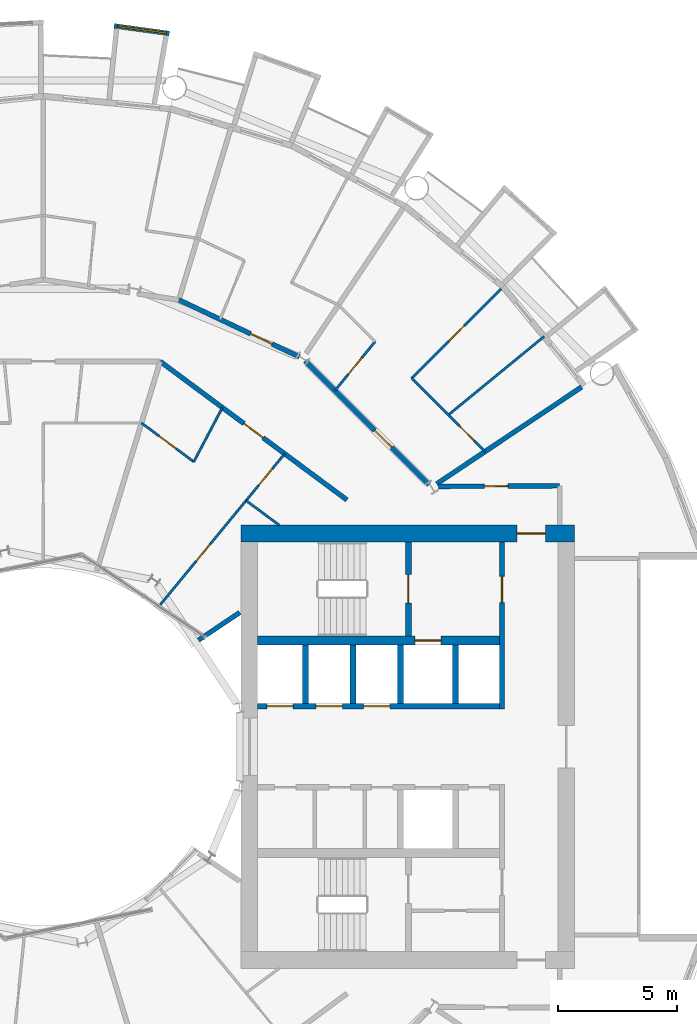
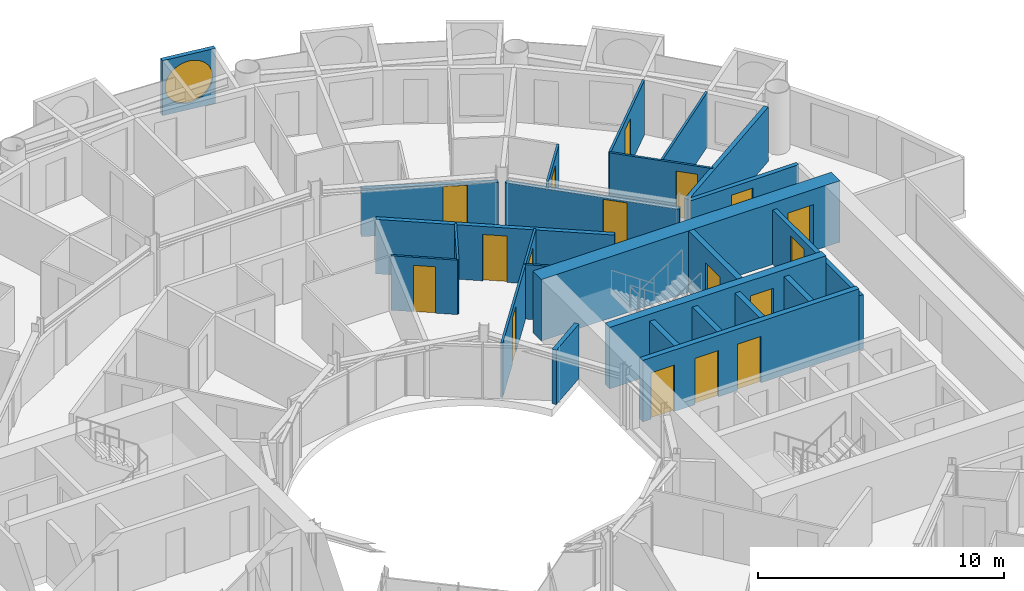
# One storey, part 21 of 26: 24 walls, 17 doors, 1 window, 18 openings.
"""IFC4 building model written with IfcOpenShell, lengths in metres."""

import ifcopenshell
import ifcopenshell.guid

model = None  # the IFC model being written
_history = None  # IfcOwnerHistory: only IFC2X3 demands one
_inside = {}  # id of a spatial element -> (the spatial element, [elements in it])
_under = {}  # id of a project, library or spatial element -> (it, [spatial elements below it])
_declared = {}  # id of a project -> (the project, [libraries it declares])
_typed = {}  # id of a type object -> (the type object, [elements of that type])
_made_of = {}  # id of a material, layer set ... -> (it, [elements and type objects made of it])


def new_model(schema):
    """Start an empty IFC model of exactly this schema.

    Asked for "IFC4X3", IfcOpenShell would pick the latest addendum, in which some entities
    have other attributes; the version numbers below select the first issue.
    IFC2X3 requires an IfcOwnerHistory on every rooted entity: one is made here for all.
    """
    global model, _history
    if schema == "IFC4X3":
        model = ifcopenshell.file(schema_version=(4, 3, 0, 0))
    else:
        model = ifcopenshell.file(schema=schema)
    _inside.clear()
    _under.clear()
    _declared.clear()
    _typed.clear()
    _made_of.clear()
    _history = None
    if model.schema == "IFC2X3":
        org = make("IfcOrganization", Name="unknown")
        user = make(
            "IfcPersonAndOrganization",
            ThePerson=make("IfcPerson", FamilyName="unknown"),
            TheOrganization=org,
        )
        app = make(
            "IfcApplication",
            ApplicationDeveloper=org,
            Version="unknown",
            ApplicationFullName="unknown",
            ApplicationIdentifier="unknown",
        )
        _history = make(
            "IfcOwnerHistory",
            OwningUser=user,
            OwningApplication=app,
            ChangeAction="ADDED",
            CreationDate=0,
        )
    return model


def make(cls, **values):
    """One entity of the class cls with the attributes given. An attribute that is None is left unset."""
    return model.create_entity(
        cls, **{name: value for name, value in values.items() if value is not None}
    )


def rooted(cls, **values):
    """An entity with a GlobalId (a new one), such as an element, a storey or a relation."""
    return make(cls, GlobalId=ifcopenshell.guid.new(), OwnerHistory=_history, **values)


def si_unit(unit_type, name, prefix=None):
    """IfcSIUnit, for example si_unit("LENGTHUNIT", "METRE", prefix="MILLI")."""
    return make("IfcSIUnit", UnitType=unit_type, Prefix=prefix, Name=name)


def assignment(units):
    """IfcUnitAssignment: the units of a project."""
    return None if units is None else make("IfcUnitAssignment", Units=units)


def point(xyz):
    """IfcCartesianPoint."""
    return None if xyz is None else make("IfcCartesianPoint", Coordinates=xyz)


def direction(xyz):
    """IfcDirection."""
    return None if xyz is None else make("IfcDirection", DirectionRatios=xyz)


def frame(location, z_axis=None, x_axis=None):
    """IfcAxis2Placement3D, a coordinate frame: its origin and axes. An axis left out is left unset."""
    return make(
        "IfcAxis2Placement3D",
        Location=point(location),
        Axis=direction(z_axis),
        RefDirection=direction(x_axis),
    )


def frame_2d(location, x_axis=None):
    """IfcAxis2Placement2D, a coordinate frame in the plane: its origin and x axis."""
    return make(
        "IfcAxis2Placement2D", Location=point(location), RefDirection=direction(x_axis)
    )


def origin():
    """The frame at (0, 0, 0) with its axes left unset."""
    return frame((0.0, 0.0, 0.0))


def place(relative_to, where):
    """IfcLocalPlacement: puts the frame where relative to a parent placement (None: the world)."""
    return make(
        "IfcLocalPlacement", PlacementRelTo=relative_to, RelativePlacement=where
    )


def context(
    kind, dimensions, precision=None, world=None, true_north=None, identifier=None
):
    """IfcGeometricRepresentationContext, for example the 3D "Model" context."""
    return make(
        "IfcGeometricRepresentationContext",
        ContextIdentifier=identifier,
        ContextType=kind,
        CoordinateSpaceDimension=dimensions,
        Precision=precision,
        WorldCoordinateSystem=world,
        TrueNorth=true_north,
    )


def subcontext(parent, identifier, kind, view, scale=None):
    """IfcGeometricRepresentationSubContext, for example "Body" below "Model"."""
    return make(
        "IfcGeometricRepresentationSubContext",
        ContextIdentifier=identifier,
        ContextType=kind,
        ParentContext=parent,
        TargetScale=scale,
        TargetView=view,
    )


def project(units=None, contexts=None):
    """IfcProject with its units and contexts."""
    return rooted(
        "IfcProject",
        Name="project",
        RepresentationContexts=contexts,
        UnitsInContext=assignment(units),
    )


def spatial(cls, under=None, at=None, **own):
    """A site, building, storey or space (cls), placed at a placement, below another one or the project."""
    s = rooted(cls, ObjectPlacement=at, **own)
    if under is not None:
        _under.setdefault(under.id(), (under, []))[1].append(s)
    return s


def profile(cls, at=None, kind="AREA", **sizes):
    """A parametric profile (cls). Its sizes go by their IFC names, for example OverallWidth=200.0."""
    return make(cls, ProfileType=kind, Position=at, **sizes)


def rectangle(**sizes):
    """IfcRectangleProfileDef."""
    return profile("IfcRectangleProfileDef", **sizes)


def circle(**sizes):
    """IfcCircleProfileDef."""
    return profile("IfcCircleProfileDef", **sizes)


def extrude(swept, where, along, depth):
    """IfcExtrudedAreaSolid: the profile swept, set in the frame where, extruded along a direction by depth."""
    return make(
        "IfcExtrudedAreaSolid",
        SweptArea=swept,
        Position=where,
        ExtrudedDirection=direction(along),
        Depth=depth,
    )


def shape(context_of_items, identifier, shape_type, items):
    """IfcShapeRepresentation: the items that make up one representation, for example the "Body"."""
    return make(
        "IfcShapeRepresentation",
        ContextOfItems=context_of_items,
        RepresentationIdentifier=identifier,
        RepresentationType=shape_type,
        Items=items,
    )


def material(Name=None, Category=None):
    """IfcMaterial."""
    return make("IfcMaterial", Name=Name, Category=Category)


def layer(
    of_material, thickness, ventilated=None, Name=None, Category=None, Priority=None
):
    """IfcMaterialLayer: one layer of a wall or slab, of a material (None: an air gap)."""
    return make(
        "IfcMaterialLayer",
        Material=of_material,
        LayerThickness=thickness,
        IsVentilated=ventilated,
        Name=Name,
        Category=Category,
        Priority=Priority,
    )


def layer_set(layers, Name=None):
    """IfcMaterialLayerSet."""
    return make("IfcMaterialLayerSet", MaterialLayers=layers, LayerSetName=Name)


def made_of(thing, what):
    """Note that an element or type object is made of a material, layer set ...; save() writes the relation."""
    if what is not None:
        _made_of.setdefault(what.id(), (what, []))[1].append(thing)
    return thing


def type_object(cls, material=None, **own):
    """A type object (cls), such as IfcWallType, which elements share."""
    return made_of(rooted(cls, **own), material)


def element(
    cls,
    number,
    at=None,
    inside=None,
    cuts=None,
    type_object=None,
    material=None,
    context=None,
    identifier="Body",
    shape_type=None,
    held_by="IfcProductDefinitionShape",
    body=None,
    shapes=None,
    **own,
):
    """One element of the class cls, such as IfcWall. Its Tag is "e" and its number.

    at: its placement. inside: the storey or other place that contains it. cuts: it is an
    opening in that element (IfcRelVoidsElement). A single representation is given by context,
    identifier, shape_type and body (its items); several are given by shapes. held_by: the class
    of the entity that holds the representations. save() writes the other relations.
    """
    e = rooted(cls, Tag="e%d" % number, ObjectPlacement=at, **own)
    if body is not None:
        shapes = [shape(context, identifier, shape_type, body)]
    if shapes is not None:
        e.Representation = make(held_by, Representations=shapes)
    if inside is not None:
        _inside.setdefault(inside.id(), (inside, []))[1].append(e)
    if cuts is not None:
        rooted(
            "IfcRelVoidsElement", RelatingBuildingElement=cuts, RelatedOpeningElement=e
        )
    if type_object is not None:
        _typed.setdefault(type_object.id(), (type_object, []))[1].append(e)
    return made_of(e, material)


def fill(opening, filler):
    """IfcRelFillsElement: the door or window that sits in an opening."""
    return rooted(
        "IfcRelFillsElement",
        RelatingOpeningElement=opening,
        RelatedBuildingElement=filler,
    )


def aggregate(whole, parts):
    """IfcRelAggregates: a whole, such as a stair, and the parts it consists of."""
    return rooted("IfcRelAggregates", RelatingObject=whole, RelatedObjects=parts)


def save(model, path):
    """Write the relations noted so far, then the file.

    IfcRelAggregates (storeys below a building ...), IfcRelContainedInSpatialStructure (elements
    in a storey), IfcRelDefinesByType, IfcRelAssociatesMaterial and IfcRelDeclares: one each for
    every whole, place, type object, material and project.
    """
    for whole, parts in _under.values():
        aggregate(whole, parts)
    for where, things in _inside.values():
        rooted(
            "IfcRelContainedInSpatialStructure",
            RelatedElements=things,
            RelatingStructure=where,
        )
    for kind, things in _typed.values():
        rooted("IfcRelDefinesByType", RelatedObjects=things, RelatingType=kind)
    for what, things in _made_of.values():
        rooted("IfcRelAssociatesMaterial", RelatedObjects=things, RelatingMaterial=what)
    for by, libraries in _declared.values():
        rooted("IfcRelDeclares", RelatingContext=by, RelatedDefinitions=libraries)
    model.write(path)


model = new_model("IFC4")

# Units and contexts
model_context = context("Model", 3, precision=1e-05, world=origin(), true_north=direction((0.0, 1.0)))
body_context = subcontext(model_context, "Body", "Model", "MODEL_VIEW")
ifc_project = project(units=[si_unit("LENGTHUNIT", "METRE"), si_unit("AREAUNIT", "SQUARE_METRE"), si_unit("VOLUMEUNIT", "CUBIC_METRE"), si_unit("PLANEANGLEUNIT", "RADIAN"), si_unit("MASSUNIT", "GRAM", prefix="KILO")], contexts=[model_context])

# Site, building, storey
site_placement = place(None, origin())
site = spatial("IfcSite", under=ifc_project, at=site_placement, CompositionType="ELEMENT")
building_placement = place(site_placement, origin())
building = spatial("IfcBuilding", under=site, at=building_placement, Name="Maasbend Ring Residences", CompositionType="ELEMENT")
storey_placement = place(building_placement, frame((0.0, 0.0, 75.800048828125)))
storey = spatial("IfcBuildingStorey", under=building, at=storey_placement, Name="L21", CompositionType="ELEMENT", Elevation=75.800048828125)

# Wall, openings, doors
ifc_material_1 = material(Name="Concrete C70/85", Category="concrete")
ifc_layer_1 = layer(ifc_material_1, 0.25)
ifc_layer_set_1 = layer_set([ifc_layer_1], Name="Concrete C70/85")
wall_type_1 = type_object("IfcWallType", Name="CORE WALL 250 C70/85", PredefinedType="SHEAR", material=ifc_layer_set_1)
wall_1_placement = place(storey_placement, frame((9.0, 1.699951171875, 0.0), z_axis=(0.0, 0.0, 1.0), x_axis=(1.0, 0.0, 0.0)))
wall_1 = element("IfcWall", 1, at=wall_1_placement, inside=storey, type_object=wall_type_1, Name="L21 core E wall SPN", PredefinedType="SHEAR", context=body_context, shape_type="SweptSolid", body=[
    extrude(rectangle(XDim=10.14990234375, YDim=0.25, at=frame_2d((5.074951171875, 0.0))), origin(), (0.0, 0.0, 1.0), 3.050048828125),
])
opening_1_placement = place(wall_1_placement, frame((0.387451171875, 0.0, 0.0)))
opening_1 = element("IfcOpeningElement", 2, at=opening_1_placement, cuts=wall_1, Name="Opening LD-E2101", PredefinedType="OPENING", context=body_context, shape_type="SweptSolid", body=[
    extrude(rectangle(XDim=1.10009765625, YDim=2.300048828125, at=frame_2d((0.550048828125, 1.14990234375))), frame((0.0, 0.135009765625, 0.0), z_axis=(0.0, -1.0, 0.0), x_axis=(1.0, 0.0, 0.0)), (0.0, 0.0, 1.0), 0.27001953125),
])
opening_2_placement = place(wall_1_placement, frame((2.449951171875, 0.0, 0.0)))
opening_2 = element("IfcOpeningElement", 3, at=opening_2_placement, cuts=wall_1, Name="Opening LD-E2102", PredefinedType="OPENING", context=body_context, shape_type="SweptSolid", body=[
    extrude(rectangle(XDim=1.10009765625, YDim=2.300048828125, at=frame_2d((0.550048828125, 1.14990234375))), frame((0.0, 0.135009765625, 0.0), z_axis=(0.0, -1.0, 0.0), x_axis=(1.0, 0.0, 0.0)), (0.0, 0.0, 1.0), 0.27001953125),
])
opening_3_placement = place(wall_1_placement, frame((4.449951171875, 0.0, 0.0)))
opening_3 = element("IfcOpeningElement", 4, at=opening_3_placement, cuts=wall_1, Name="Opening LD-E2103", PredefinedType="OPENING", context=body_context, shape_type="SweptSolid", body=[
    extrude(rectangle(XDim=1.10009765625, YDim=2.300048828125, at=frame_2d((0.550048828125, 1.14990234375))), frame((0.0, 0.135009765625, 0.0), z_axis=(0.0, -1.0, 0.0), x_axis=(1.0, 0.0, 0.0)), (0.0, 0.0, 1.0), 0.27001953125),
])
ifc_material_2 = material(Name="Stainless steel 316", Category="steel")
door_type_1 = type_object("IfcDoorType", Name="LANDING DOOR 1100 X 2300 FD60", OperationType="DOUBLE_DOOR_SLIDING", PredefinedType="DOOR", material=ifc_material_2)
door_1_placement = place(opening_1_placement, origin())
door_1 = element("IfcDoor", 5, at=door_1_placement, inside=storey, type_object=door_type_1, Name="Landing door LR-E1 L21", OperationType="DOUBLE_DOOR_SLIDING", OverallHeight=2.300048828125, OverallWidth=1.10009765625, PredefinedType="DOOR", context=body_context, shape_type="SweptSolid", body=[
    extrude(rectangle(XDim=1.10009765625, YDim=2.300048828125, at=frame_2d((0.550048828125, 1.14990234375))), frame((0.0, 0.02490234375, 0.0), z_axis=(0.0, -1.0, 0.0), x_axis=(1.0, 0.0, 0.0)), (0.0, 0.0, 1.0), 0.050048828125),
])
fill(opening_1, door_1)
door_2_placement = place(opening_2_placement, origin())
door_2 = element("IfcDoor", 6, at=door_2_placement, inside=storey, type_object=door_type_1, Name="Landing door LR-E2 L21", OperationType="DOUBLE_DOOR_SLIDING", OverallHeight=2.300048828125, OverallWidth=1.10009765625, PredefinedType="DOOR", context=body_context, shape_type="SweptSolid", body=[
    extrude(rectangle(XDim=1.10009765625, YDim=2.300048828125, at=frame_2d((0.550048828125, 1.14990234375))), frame((0.0, 0.02490234375, 0.0), z_axis=(0.0, -1.0, 0.0), x_axis=(1.0, 0.0, 0.0)), (0.0, 0.0, 1.0), 0.050048828125),
])
fill(opening_2, door_2)
door_3_placement = place(opening_3_placement, origin())
door_3 = element("IfcDoor", 7, at=door_3_placement, inside=storey, type_object=door_type_1, Name="Landing door LR-E3 L21", OperationType="DOUBLE_DOOR_SLIDING", OverallHeight=2.300048828125, OverallWidth=1.10009765625, PredefinedType="DOOR", context=body_context, shape_type="SweptSolid", body=[
    extrude(rectangle(XDim=1.10009765625, YDim=2.300048828125, at=frame_2d((0.550048828125, 1.14990234375))), frame((0.0, 0.02490234375, 0.0), z_axis=(0.0, -1.0, 0.0), x_axis=(1.0, 0.0, 0.0)), (0.0, 0.0, 1.0), 0.050048828125),
])
fill(opening_3, door_3)

# Wall, opening, door
wall_2_placement = place(storey_placement, frame((15.324951171875, 4.64990234375, 0.0), z_axis=(0.0, 0.0, 1.0), x_axis=(0.0, 1.0, 0.0)))
wall_2 = element("IfcWall", 8, at=wall_2_placement, inside=storey, type_object=wall_type_1, Name="L21 core E wall STEN", PredefinedType="SHEAR", context=body_context, shape_type="SweptSolid", body=[
    extrude(rectangle(XDim=3.9501953125, YDim=0.25, at=frame_2d((1.97509765625, 0.0))), origin(), (0.0, 0.0, 1.0), 3.050048828125),
])
opening_4_placement = place(wall_2_placement, frame((1.375, 0.0, 0.0)))
opening_4 = element("IfcOpeningElement", 9, at=opening_4_placement, cuts=wall_2, Name="Opening D-E2111", PredefinedType="OPENING", context=body_context, shape_type="SweptSolid", body=[
    extrude(rectangle(XDim=1.199951171875, YDim=2.300048828125, at=frame_2d((0.60009765625, 1.14990234375))), frame((0.0, 0.135009765625, 0.0), z_axis=(0.0, -1.0, 0.0), x_axis=(1.0, 0.0, 0.0)), (0.0, 0.0, 1.0), 0.27001953125),
])
ifc_material_3 = material(Name="Steel, powder coated", Category="steel")
door_type_2 = type_object("IfcDoorType", Name="STAIR DOOR 1200 X 2300 FD60", OperationType="NOTDEFINED", PredefinedType="DOOR", material=ifc_material_3)
door_4_placement = place(opening_4_placement, origin())
door_4 = element("IfcDoor", 10, at=door_4_placement, inside=storey, type_object=door_type_2, Name="Stair door ST-E L21", OperationType="SINGLE_SWING_LEFT", OverallHeight=2.300048828125, OverallWidth=1.199951171875, PredefinedType="DOOR", context=body_context, shape_type="SweptSolid", body=[
    extrude(rectangle(XDim=1.199951171875, YDim=2.300048828125, at=frame_2d((0.60009765625, 1.14990234375))), frame((0.0, 0.02490234375, 0.0), z_axis=(0.0, -1.0, 0.0), x_axis=(1.0, 0.0, 0.0)), (0.0, 0.0, 1.0), 0.050048828125),
])
fill(opening_4, door_4)

ifc_material_4 = material(Name="Concrete C70/85", Category="concrete")
ifc_layer_2 = layer(ifc_material_4, 0.375)
ifc_layer_set_2 = layer_set([ifc_layer_2], Name="Concrete C70/85")
wall_type_2 = type_object("IfcWallType", Name="CORE WALL 375 C70/85", PredefinedType="SHEAR", material=ifc_layer_set_2)
wall_3_placement = place(storey_placement, frame((9.0, 4.46240234375, 0.0), z_axis=(0.0, 0.0, 1.0), x_axis=(1.0, 0.0, 0.0)))
wall_3 = element("IfcWall", 11, at=wall_3_placement, inside=storey, type_object=wall_type_2, Name="L21 core E wall BN", PredefinedType="SHEAR", context=body_context, shape_type="SweptSolid", body=[
    extrude(rectangle(XDim=10.14990234375, YDim=0.375, at=frame_2d((5.074951171875, 0.0))), origin(), (0.0, 0.0, 1.0), 3.050048828125),
])
opening_5_placement = place(wall_3_placement, frame((6.60009765625, 0.0, 0.0)))
opening_5 = element("IfcOpeningElement", 12, at=opening_5_placement, cuts=wall_3, Name="Opening LD-E2104", PredefinedType="OPENING", context=body_context, shape_type="SweptSolid", body=[
    extrude(rectangle(XDim=1.10009765625, YDim=2.300048828125, at=frame_2d((0.550048828125, 1.14990234375))), frame((0.0, 0.197509765625, 0.0), z_axis=(0.0, -1.0, 0.0), x_axis=(1.0, 0.0, 0.0)), (0.0, 0.0, 1.0), 0.39501953125),
])
door_5_placement = place(opening_5_placement, origin())
door_5 = element("IfcDoor", 13, at=door_5_placement, inside=storey, type_object=door_type_1, Name="Landing door FF-E L21", OperationType="DOUBLE_DOOR_SLIDING", OverallHeight=2.300048828125, OverallWidth=1.10009765625, PredefinedType="DOOR", context=body_context, shape_type="SweptSolid", body=[
    extrude(rectangle(XDim=1.10009765625, YDim=2.300048828125, at=frame_2d((0.550048828125, 1.14990234375))), frame((0.0, 0.02490234375, 0.0), z_axis=(0.0, -1.0, 0.0), x_axis=(1.0, 0.0, 0.0)), (0.0, 0.0, 1.0), 0.050048828125),
])
fill(opening_5, door_5)

ifc_material_5 = material(Name="Concrete C70/85", Category="concrete")
ifc_layer_3 = layer(ifc_material_5, 0.699951171875)
ifc_layer_set_3 = layer_set([ifc_layer_3], Name="Concrete C70/85")
wall_type_3 = type_object("IfcWallType", Name="CORE WALL 700 C70/85", PredefinedType="SHEAR", material=ifc_layer_set_3)
wall_4_placement = place(storey_placement, frame((22.300048828125, 8.949951171875, 0.0), z_axis=(0.0, 0.0, 1.0), x_axis=(-1.0, 0.0, 0.0)))
wall_4 = element("IfcWall", 14, at=wall_4_placement, inside=storey, type_object=wall_type_3, Name="L21 core E wall PN", PredefinedType="SHEAR", context=body_context, shape_type="SweptSolid", body=[
    extrude(rectangle(XDim=14.0, YDim=0.699951171875, at=frame_2d((7.0, 0.0))), origin(), (0.0, 0.0, 1.0), 3.050048828125),
])
opening_6_placement = place(wall_4_placement, frame((1.22509765625, 0.0, 0.0)))
opening_6 = element("IfcOpeningElement", 15, at=opening_6_placement, cuts=wall_4, Name="Opening D-E2115", PredefinedType="OPENING", context=body_context, shape_type="SweptSolid", body=[
    extrude(rectangle(XDim=1.199951171875, YDim=2.300048828125, at=frame_2d((0.60009765625, 1.14990234375))), frame((0.0, 0.35986328125, 0.0), z_axis=(0.0, -1.0, 0.0), x_axis=(1.0, 0.0, 0.0)), (0.0, 0.0, 1.0), 0.719970703125),
])
ifc_material_6 = material(Name="Steel, powder coated", Category="steel")
door_type_3 = type_object("IfcDoorType", Name="CORRIDOR DOOR 1200 X 2300 FD30S", OperationType="NOTDEFINED", PredefinedType="DOOR", material=ifc_material_6)
door_6_placement = place(opening_6_placement, origin())
door_6 = element("IfcDoor", 16, at=door_6_placement, inside=storey, type_object=door_type_3, Name="Corridor door L21", OperationType="SINGLE_SWING_RIGHT", OverallHeight=2.300048828125, OverallWidth=1.199951171875, PredefinedType="DOOR", context=body_context, shape_type="SweptSolid", body=[
    extrude(rectangle(XDim=1.199951171875, YDim=2.300048828125, at=frame_2d((0.60009765625, 1.14990234375))), frame((0.0, 0.02490234375, 0.0), z_axis=(0.0, -1.0, 0.0), x_axis=(1.0, 0.0, 0.0)), (0.0, 0.0, 1.0), 0.050048828125),
])
fill(opening_6, door_6)

ifc_material_7 = material(Name="Concrete C30/37", Category="concrete")
ifc_layer_4 = layer(ifc_material_7, 0.199951171875)
ifc_layer_set_4 = layer_set([ifc_layer_4], Name="Concrete C30/37")
wall_type_4 = type_object("IfcWallType", Name="CORRIDOR WALL 200 CONCRETE", PredefinedType="PARTITIONING", material=ifc_layer_set_4)
wall_5_placement = place(storey_placement, frame((16.587890625, 10.925048828125, 0.0), z_axis=(0.0, 0.0, 1.0), x_axis=(0.999988019025, 0.004895079807, 0.0)))
wall_5 = element("IfcWall", 17, at=wall_5_placement, inside=storey, type_object=wall_type_4, Name="U-L21-w097", PredefinedType="PARTITIONING", context=body_context, shape_type="SweptSolid", body=[
    extrude(rectangle(XDim=5.087158203125, YDim=0.199951171875, at=frame_2d((2.54345703125, 0.0))), origin(), (0.0, 0.0, 1.0), 2.699951171875),
])
opening_7_placement = place(wall_5_placement, frame((1.925048828125, 0.0, 0.0)))
opening_7 = element("IfcOpeningElement", 18, at=opening_7_placement, cuts=wall_5, Name="Opening D-2171", PredefinedType="OPENING", context=body_context, shape_type="SweptSolid", body=[
    extrude(rectangle(XDim=1.0, YDim=2.300048828125, at=frame_2d((0.5, 1.14990234375))), frame((0.0, 0.10986328125, 0.0), z_axis=(0.0, -1.0, 0.0), x_axis=(1.0, 0.0, 0.0)), (0.0, 0.0, 1.0), 0.219970703125),
])
ifc_material_8 = material(Name="Timber, painted", Category="wood")
door_type_4 = type_object("IfcDoorType", Name="ROOM DOOR 1000 X 2300", OperationType="NOTDEFINED", PredefinedType="DOOR", material=ifc_material_8)
door_7_placement = place(opening_7_placement, origin())
door_7 = element("IfcDoor", 19, at=door_7_placement, inside=storey, type_object=door_type_4, Name="D-2171", OperationType="SINGLE_SWING_LEFT", OverallHeight=2.300048828125, OverallWidth=1.0, PredefinedType="DOOR", context=body_context, shape_type="SweptSolid", body=[
    extrude(rectangle(XDim=1.0, YDim=2.300048828125, at=frame_2d((0.5, 1.14990234375))), frame((0.0, 0.02490234375, 0.0), z_axis=(0.0, -1.0, 0.0), x_axis=(1.0, 0.0, 0.0)), (0.0, 0.0, 1.0), 0.050048828125),
])
fill(opening_7, door_7)

wall_6_placement = place(storey_placement, frame((4.906005859375, 16.172119140625, 0.0), z_axis=(0.0, 0.0, 1.0), x_axis=(0.803191461888, -0.595720971219, 0.0)))
wall_6 = element("IfcWall", 20, at=wall_6_placement, inside=storey, type_object=wall_type_4, Name="U-L21-w105", PredefinedType="PARTITIONING", context=body_context, shape_type="SweptSolid", body=[
    extrude(rectangle(XDim=9.760009765625, YDim=0.199951171875, at=frame_2d((4.8798828125, 0.0))), origin(), (0.0, 0.0, 1.0), 2.699951171875),
])
opening_8_placement = place(wall_6_placement, frame((4.3798828125, 0.0, 0.0)))
opening_8 = element("IfcOpeningElement", 21, at=opening_8_placement, cuts=wall_6, Name="Opening D-2121", PredefinedType="OPENING", context=body_context, shape_type="SweptSolid", body=[
    extrude(rectangle(XDim=1.0, YDim=2.300048828125, at=frame_2d((0.5, 1.14990234375))), frame((0.0, 0.10986328125, 0.0), z_axis=(0.0, -1.0, 0.0), x_axis=(1.0, 0.0, 0.0)), (0.0, 0.0, 1.0), 0.219970703125),
])
ifc_material_9 = material(Name="Timber, fire-rated, painted", Category="wood")
door_type_5 = type_object("IfcDoorType", Name="FLAT ENTRANCE DOOR 1000 X 2300 FIRE-RATED", OperationType="NOTDEFINED", PredefinedType="DOOR", material=ifc_material_9)
door_8_placement = place(opening_8_placement, origin())
door_8 = element("IfcDoor", 22, at=door_8_placement, inside=storey, type_object=door_type_5, Name="D-2121", OperationType="SINGLE_SWING_LEFT", OverallHeight=2.300048828125, OverallWidth=1.0, PredefinedType="DOOR", context=body_context, shape_type="SweptSolid", body=[
    extrude(rectangle(XDim=1.0, YDim=2.300048828125, at=frame_2d((0.5, 1.14990234375))), frame((0.0, 0.02490234375, 0.0), z_axis=(0.0, -1.0, 0.0), x_axis=(1.0, 0.0, 0.0)), (0.0, 0.0, 1.0), 0.050048828125),
])
fill(opening_8, door_8)

wall_7_placement = place(storey_placement, frame((11.0, 16.18603515625, 0.0), z_axis=(0.0, 0.0, 1.0), x_axis=(0.707106781187, -0.707106781187, 0.0)))
wall_7 = element("IfcWall", 23, at=wall_7_placement, inside=storey, type_object=wall_type_4, Name="U-L21-w108", PredefinedType="PARTITIONING", context=body_context, shape_type="SweptSolid", body=[
    extrude(rectangle(XDim=7.334228515625, YDim=0.199951171875, at=frame_2d((3.6669921875, 0.0))), origin(), (0.0, 0.0, 1.0), 2.3798828125),
])
opening_9_placement = place(wall_7_placement, frame((4.123046875, 0.0, 0.0)))
opening_9 = element("IfcOpeningElement", 24, at=opening_9_placement, cuts=wall_7, Name="Opening D-2101", PredefinedType="OPENING", context=body_context, shape_type="SweptSolid", body=[
    extrude(rectangle(XDim=1.0, YDim=2.300048828125, at=frame_2d((0.5, 1.14990234375))), frame((0.0, 0.10986328125, 0.0), z_axis=(0.0, -1.0, 0.0), x_axis=(1.0, 0.0, 0.0)), (0.0, 0.0, 1.0), 0.219970703125),
])
door_9_placement = place(opening_9_placement, origin())
door_9 = element("IfcDoor", 25, at=door_9_placement, inside=storey, type_object=door_type_5, Name="D-2101", OperationType="SINGLE_SWING_RIGHT", OverallHeight=2.300048828125, OverallWidth=1.0, PredefinedType="DOOR", context=body_context, shape_type="SweptSolid", body=[
    extrude(rectangle(XDim=1.0, YDim=2.300048828125, at=frame_2d((0.5, 1.14990234375))), frame((0.0, 0.02490234375, 0.0), z_axis=(0.0, -1.0, 0.0), x_axis=(1.0, 0.0, 0.0)), (0.0, 0.0, 1.0), 0.050048828125),
])
fill(opening_9, door_9)

wall_8_placement = place(storey_placement, frame((5.68994140625, 18.756103515625, 0.0), z_axis=(0.0, 0.0, 1.0), x_axis=(0.903901201372, -0.427741298169, 0.0)))
wall_8 = element("IfcWall", 26, at=wall_8_placement, inside=storey, type_object=wall_type_4, Name="U-L21-w114", PredefinedType="PARTITIONING", context=body_context, shape_type="SweptSolid", body=[
    extrude(rectangle(XDim=5.596923828125, YDim=0.199951171875, at=frame_2d((2.79833984375, 0.0))), origin(), (0.0, 0.0, 1.0), 2.3798828125),
])
opening_10_placement = place(wall_8_placement, frame((3.333984375, 0.0, 0.0)))
opening_10 = element("IfcOpeningElement", 27, at=opening_10_placement, cuts=wall_8, Name="Opening D-2105", PredefinedType="OPENING", context=body_context, shape_type="SweptSolid", body=[
    extrude(rectangle(XDim=1.0, YDim=2.300048828125, at=frame_2d((0.5, 1.14990234375))), frame((0.0, 0.10986328125, 0.0), z_axis=(0.0, -1.0, 0.0), x_axis=(1.0, 0.0, 0.0)), (0.0, 0.0, 1.0), 0.219970703125),
])
door_10_placement = place(opening_10_placement, origin())
door_10 = element("IfcDoor", 28, at=door_10_placement, inside=storey, type_object=door_type_5, Name="D-2105", OperationType="SINGLE_SWING_RIGHT", OverallHeight=2.300048828125, OverallWidth=1.0, PredefinedType="DOOR", context=body_context, shape_type="SweptSolid", body=[
    extrude(rectangle(XDim=1.0, YDim=2.300048828125, at=frame_2d((0.5, 1.14990234375))), frame((0.0, 0.02490234375, 0.0), z_axis=(0.0, -1.0, 0.0), x_axis=(1.0, 0.0, 0.0)), (0.0, 0.0, 1.0), 0.050048828125),
])
fill(opening_10, door_10)

# Wall, opening, window
ifc_material_10 = material(Name="Pale anodised aluminium panel", Category="aluminium")
ifc_layer_5 = layer(ifc_material_10, 0.199951171875)
ifc_layer_set_5 = layer_set([ifc_layer_5], Name="EW-BOX")
wall_type_5 = type_object("IfcWallType", Name="EW-BOX", PredefinedType="SOLIDWALL", material=ifc_layer_set_5)
wall_9_placement = place(storey_placement, frame((5.2900390625, 29.93603515625, -0.030029296875), z_axis=(0.0, 0.0, 1.0), x_axis=(-0.990696111261, 0.136092671119, 0.0)))
wall_9 = element("IfcWall", 29, at=wall_9_placement, inside=storey, type_object=wall_type_5, Name="Box front N09", PredefinedType="SOLIDWALL", context=body_context, shape_type="SweptSolid", body=[
    extrude(rectangle(XDim=2.335693359375, YDim=0.199951171875, at=frame_2d((1.16796875, 0.0))), origin(), (0.0, 0.0, 1.0), 2.72998046875),
])
opening_11_placement = place(wall_9_placement, frame((0.128173828125, 0.0, 0.330078125)))
opening_11 = element("IfcOpeningElement", 30, at=opening_11_placement, cuts=wall_9, Name="Opening W-RD", PredefinedType="OPENING", context=body_context, shape_type="SweptSolid", body=[
    extrude(circle(Radius=1.0400390625, at=frame_2d((1.0400390625, 1.0400390625))), frame((0.0, 0.10986328125, 0.0), z_axis=(0.0, -1.0, 0.0), x_axis=(1.0, 0.0, 0.0)), (0.0, 0.0, 1.0), 0.219970703125),
])
ifc_material_11 = material(Name="Aluminium and clear glass", Category="aluminium")
window_type = type_object("IfcWindowType", Name="W-RD", PartitioningType="SINGLE_PANEL", PredefinedType="WINDOW", material=ifc_material_11)
window_placement = place(opening_11_placement, origin())
window = element("IfcWindow", 31, at=window_placement, inside=storey, type_object=window_type, Name="Round window N09", OverallHeight=2.080078125, OverallWidth=2.080078125, PartitioningType="SINGLE_PANEL", PredefinedType="WINDOW", context=body_context, shape_type="SweptSolid", body=[
    extrude(circle(Radius=1.0400390625, at=frame_2d((1.0400390625, 1.0400390625))), frame((0.0, 0.030029296875, 0.0), z_axis=(0.0, -1.0, 0.0), x_axis=(1.0, 0.0, 0.0)), (0.0, 0.0, 1.0), 0.06005859375),
])
fill(opening_11, window)

# Wall, openings, doors
ifc_material_12 = material(Name="Gypsum board on steel studs", Category="steel")
ifc_layer_6 = layer(ifc_material_12, 0.10009765625)
ifc_layer_set_6 = layer_set([ifc_layer_6], Name="PARTITION 100 GYPSUM")
wall_type_6 = type_object("IfcWallType", Name="PARTITION 100 GYPSUM", PredefinedType="PARTITIONING", material=ifc_layer_set_6)
wall_10_placement = place(storey_placement, frame((4.908935546875, 5.9580078125, 0.0), z_axis=(0.0, 0.0, 1.0), x_axis=(0.635976043025, 0.771708800454, 0.0)))
wall_10 = element("IfcWall", 32, at=wall_10_placement, inside=storey, type_object=wall_type_6, Name="U-L21-w076", PredefinedType="PARTITIONING", context=body_context, shape_type="SweptSolid", body=[
    extrude(rectangle(XDim=8.212890625, YDim=0.10009765625, at=frame_2d((4.1064453125, 0.0))), origin(), (0.0, 0.0, 1.0), 2.699951171875),
])
opening_12_placement = place(wall_10_placement, frame((6.489990234375, 0.0, 0.0)))
opening_12 = element("IfcOpeningElement", 33, at=opening_12_placement, cuts=wall_10, Name="Opening D-2123", PredefinedType="OPENING", context=body_context, shape_type="SweptSolid", body=[
    extrude(rectangle(XDim=0.89990234375, YDim=2.300048828125, at=frame_2d((0.449951171875, 1.14990234375))), frame((0.0, 0.06005859375, 0.0), z_axis=(0.0, -1.0, 0.0), x_axis=(1.0, 0.0, 0.0)), (0.0, 0.0, 1.0), 0.1201171875),
])
opening_13_placement = place(wall_10_placement, frame((2.384033203125, 0.0, 0.0)))
opening_13 = element("IfcOpeningElement", 34, at=opening_13_placement, cuts=wall_10, Name="Opening D-2124", PredefinedType="OPENING", context=body_context, shape_type="SweptSolid", body=[
    extrude(rectangle(XDim=0.89990234375, YDim=2.300048828125, at=frame_2d((0.449951171875, 1.14990234375))), frame((0.0, 0.06005859375, 0.0), z_axis=(0.0, -1.0, 0.0), x_axis=(1.0, 0.0, 0.0)), (0.0, 0.0, 1.0), 0.1201171875),
])
ifc_material_13 = material(Name="Timber, painted", Category="wood")
door_type_6 = type_object("IfcDoorType", Name="INTERNAL DOOR 900 X 2300", OperationType="NOTDEFINED", PredefinedType="DOOR", material=ifc_material_13)
door_11_placement = place(opening_12_placement, origin())
door_11 = element("IfcDoor", 35, at=door_11_placement, inside=storey, type_object=door_type_6, Name="D-2123", OperationType="SINGLE_SWING_RIGHT", OverallHeight=2.300048828125, OverallWidth=0.89990234375, PredefinedType="DOOR", context=body_context, shape_type="SweptSolid", body=[
    extrude(rectangle(XDim=0.89990234375, YDim=2.300048828125, at=frame_2d((0.449951171875, 1.14990234375))), frame((0.0, 0.02490234375, 0.0), z_axis=(0.0, -1.0, 0.0), x_axis=(1.0, 0.0, 0.0)), (0.0, 0.0, 1.0), 0.050048828125),
])
fill(opening_12, door_11)
door_12_placement = place(opening_13_placement, origin())
door_12 = element("IfcDoor", 36, at=door_12_placement, inside=storey, type_object=door_type_6, Name="D-2124", OperationType="SINGLE_SWING_LEFT", OverallHeight=2.300048828125, OverallWidth=0.89990234375, PredefinedType="DOOR", context=body_context, shape_type="SweptSolid", body=[
    extrude(rectangle(XDim=0.89990234375, YDim=2.300048828125, at=frame_2d((0.449951171875, 1.14990234375))), frame((0.0, 0.02490234375, 0.0), z_axis=(0.0, -1.0, 0.0), x_axis=(1.0, 0.0, 0.0)), (0.0, 0.0, 1.0), 0.050048828125),
])
fill(opening_13, door_12)

# Wall
wall_11_placement = place(storey_placement, frame((6.318115234375, 11.9599609375, 0.0), z_axis=(0.0, 0.0, 1.0), x_axis=(0.467001992543, 0.884256263173, 0.0)))
element("IfcWall", 37, at=wall_11_placement, inside=storey, type_object=wall_type_6, Name="U-L21-w079", PredefinedType="PARTITIONING", context=body_context, shape_type="SweptSolid", body=[
    extrude(rectangle(XDim=2.571533203125, YDim=0.10009765625, at=frame_2d((1.28564453125, 0.0))), origin(), (0.0, 0.0, 1.0), 2.699951171875),
])

# Wall, opening, door
wall_12_placement = place(storey_placement, frame((12.240966796875, 14.945068359375, 0.0), z_axis=(0.0, 0.0, 1.0), x_axis=(0.633582447834, 0.77367517848, 0.0)))
wall_12 = element("IfcWall", 38, at=wall_12_placement, inside=storey, type_object=wall_type_6, Name="U-L21-w085", PredefinedType="PARTITIONING", context=body_context, shape_type="SweptSolid", body=[
    extrude(rectangle(XDim=2.6611328125, YDim=0.10009765625, at=frame_2d((1.33056640625, 0.0))), origin(), (0.0, 0.0, 1.0), 2.699951171875),
])
opening_14_placement = place(wall_12_placement, frame((0.881103515625, 0.0, 0.0)))
opening_14 = element("IfcOpeningElement", 39, at=opening_14_placement, cuts=wall_12, Name="Opening D-2102", PredefinedType="OPENING", context=body_context, shape_type="SweptSolid", body=[
    extrude(rectangle(XDim=0.89990234375, YDim=2.300048828125, at=frame_2d((0.449951171875, 1.14990234375))), frame((0.0, 0.06005859375, 0.0), z_axis=(0.0, -1.0, 0.0), x_axis=(1.0, 0.0, 0.0)), (0.0, 0.0, 1.0), 0.1201171875),
])
door_13_placement = place(opening_14_placement, origin())
door_13 = element("IfcDoor", 40, at=door_13_placement, inside=storey, type_object=door_type_6, Name="D-2102", OperationType="SINGLE_SWING_LEFT", OverallHeight=2.300048828125, OverallWidth=0.89990234375, PredefinedType="DOOR", context=body_context, shape_type="SweptSolid", body=[
    extrude(rectangle(XDim=0.89990234375, YDim=2.300048828125, at=frame_2d((0.449951171875, 1.14990234375))), frame((0.0, 0.02490234375, 0.0), z_axis=(0.0, -1.0, 0.0), x_axis=(1.0, 0.0, 0.0)), (0.0, 0.0, 1.0), 0.050048828125),
])
fill(opening_14, door_13)

wall_13_placement = place(storey_placement, frame((15.465087890625, 15.465087890625, 0.0), z_axis=(0.0, 0.0, 1.0), x_axis=(0.707106781187, 0.707106781187, 0.0)))
wall_13 = element("IfcWall", 41, at=wall_13_placement, inside=storey, type_object=wall_type_6, Name="U-L21-w089", PredefinedType="PARTITIONING", context=body_context, shape_type="SweptSolid", body=[
    extrude(rectangle(XDim=5.3046875, YDim=0.10009765625, at=frame_2d((2.65234375, 0.0))), origin(), (0.0, 0.0, 1.0), 2.699951171875),
])
opening_15_placement = place(wall_13_placement, frame((2.201904296875, 0.0, 0.0)))
opening_15 = element("IfcOpeningElement", 42, at=opening_15_placement, cuts=wall_13, Name="Opening D-2103", PredefinedType="OPENING", context=body_context, shape_type="SweptSolid", body=[
    extrude(rectangle(XDim=0.89990234375, YDim=2.300048828125, at=frame_2d((0.449951171875, 1.14990234375))), frame((0.0, 0.06005859375, 0.0), z_axis=(0.0, -1.0, 0.0), x_axis=(1.0, 0.0, 0.0)), (0.0, 0.0, 1.0), 0.1201171875),
])
door_14_placement = place(opening_15_placement, origin())
door_14 = element("IfcDoor", 43, at=door_14_placement, inside=storey, type_object=door_type_6, Name="D-2103", OperationType="SINGLE_SWING_RIGHT", OverallHeight=2.300048828125, OverallWidth=0.89990234375, PredefinedType="DOOR", context=body_context, shape_type="SweptSolid", body=[
    extrude(rectangle(XDim=0.89990234375, YDim=2.300048828125, at=frame_2d((0.449951171875, 1.14990234375))), frame((0.0, 0.02490234375, 0.0), z_axis=(0.0, -1.0, 0.0), x_axis=(1.0, 0.0, 0.0)), (0.0, 0.0, 1.0), 0.050048828125),
])
fill(opening_15, door_14)

# Wall
wall_14_placement = place(storey_placement, frame((17.00390625, 13.927001953125, 0.0), z_axis=(0.0, 0.0, 1.0), x_axis=(0.773517471898, 0.633774976367, 0.0)))
element("IfcWall", 44, at=wall_14_placement, inside=storey, type_object=wall_type_6, Name="U-L21-w093", PredefinedType="PARTITIONING", context=body_context, shape_type="SweptSolid", body=[
    extrude(rectangle(XDim=5.19580078125, YDim=0.10009765625, at=frame_2d((2.597900390625, 0.0))), origin(), (0.0, 0.0, 1.0), 2.699951171875),
])

# Wall, opening, door
wall_15_placement = place(storey_placement, frame((4.1220703125, 13.589111328125, 0.0), z_axis=(0.0, 0.0, 1.0), x_axis=(0.803128348509, -0.595806055542, 0.0)))
wall_15 = element("IfcWall", 45, at=wall_15_placement, inside=storey, type_object=wall_type_6, Name="U-L21-w100", PredefinedType="PARTITIONING", context=body_context, shape_type="SweptSolid", body=[
    extrude(rectangle(XDim=2.734375, YDim=0.10009765625, at=frame_2d((1.3671875, 0.0))), origin(), (0.0, 0.0, 1.0), 2.699951171875),
])
opening_16_placement = place(wall_15_placement, frame((0.9169921875, 0.0, 0.0)))
opening_16 = element("IfcOpeningElement", 46, at=opening_16_placement, cuts=wall_15, Name="Opening D-2122", PredefinedType="OPENING", context=body_context, shape_type="SweptSolid", body=[
    extrude(rectangle(XDim=0.89990234375, YDim=2.300048828125, at=frame_2d((0.449951171875, 1.14990234375))), frame((0.0, 0.06005859375, 0.0), z_axis=(0.0, -1.0, 0.0), x_axis=(1.0, 0.0, 0.0)), (0.0, 0.0, 1.0), 0.1201171875),
])
door_15_placement = place(opening_16_placement, origin())
door_15 = element("IfcDoor", 47, at=door_15_placement, inside=storey, type_object=door_type_6, Name="D-2122", OperationType="SINGLE_SWING_LEFT", OverallHeight=2.300048828125, OverallWidth=0.89990234375, PredefinedType="DOOR", context=body_context, shape_type="SweptSolid", body=[
    extrude(rectangle(XDim=0.89990234375, YDim=2.300048828125, at=frame_2d((0.449951171875, 1.14990234375))), frame((0.0, 0.02490234375, 0.0), z_axis=(0.0, -1.0, 0.0), x_axis=(1.0, 0.0, 0.0)), (0.0, 0.0, 1.0), 0.050048828125),
])
fill(opening_16, door_15)

# Wall
wall_16_placement = place(storey_placement, frame((8.511962890625, 10.33203125, 0.0), z_axis=(0.0, 0.0, 1.0), x_axis=(0.803135014325, -0.595797070121, 0.0)))
element("IfcWall", 48, at=wall_16_placement, inside=storey, type_object=wall_type_6, Name="U-L21-w101", PredefinedType="PARTITIONING", context=body_context, shape_type="SweptSolid", body=[
    extrude(rectangle(XDim=1.732177734375, YDim=0.10009765625, at=frame_2d((0.8662109375, 0.0))), origin(), (0.0, 0.0, 1.0), 2.699951171875),
])

# Wall, opening, door
wall_17_placement = place(storey_placement, frame((15.465087890625, 15.465087890625, 0.0), z_axis=(0.0, 0.0, 1.0), x_axis=(0.707190945535, -0.707022606819, 0.0)))
wall_17 = element("IfcWall", 49, at=wall_17_placement, inside=storey, type_object=wall_type_6, Name="U-L21-w120", PredefinedType="PARTITIONING", context=body_context, shape_type="SweptSolid", body=[
    extrude(rectangle(XDim=4.350830078125, YDim=0.10009765625, at=frame_2d((2.17529296875, 0.0))), origin(), (0.0, 0.0, 1.0), 2.699951171875),
])
opening_17_placement = place(wall_17_placement, frame((2.81201171875, 0.0, 0.0)))
opening_17 = element("IfcOpeningElement", 50, at=opening_17_placement, cuts=wall_17, Name="Opening D-2104", PredefinedType="OPENING", context=body_context, shape_type="SweptSolid", body=[
    extrude(rectangle(XDim=0.89990234375, YDim=2.300048828125, at=frame_2d((0.449951171875, 1.14990234375))), frame((0.0, 0.06005859375, 0.0), z_axis=(0.0, -1.0, 0.0), x_axis=(1.0, 0.0, 0.0)), (0.0, 0.0, 1.0), 0.1201171875),
])
door_16_placement = place(opening_17_placement, origin())
door_16 = element("IfcDoor", 51, at=door_16_placement, inside=storey, type_object=door_type_6, Name="D-2104", OperationType="SINGLE_SWING_RIGHT", OverallHeight=2.300048828125, OverallWidth=0.89990234375, PredefinedType="DOOR", context=body_context, shape_type="SweptSolid", body=[
    extrude(rectangle(XDim=0.89990234375, YDim=2.300048828125, at=frame_2d((0.449951171875, 1.14990234375))), frame((0.0, 0.02490234375, 0.0), z_axis=(0.0, -1.0, 0.0), x_axis=(1.0, 0.0, 0.0)), (0.0, 0.0, 1.0), 0.050048828125),
])
fill(opening_17, door_16)

# Walls
ifc_material_14 = material(Name="Concrete C30/37", Category="concrete")
ifc_layer_7 = layer(ifc_material_14, 0.199951171875)
ifc_layer_set_7 = layer_set([ifc_layer_7], Name="Concrete C30/37")
wall_type_7 = type_object("IfcWallType", Name="PARTY WALL 200 CONCRETE", PredefinedType="PARTITIONING", material=ifc_layer_set_7)
wall_18_placement = place(storey_placement, frame((16.514892578125, 11.033935546875, 0.0), z_axis=(0.0, 0.0, 1.0), x_axis=(0.831382022135, 0.555701298605, 0.0)))
element("IfcWall", 52, at=wall_18_placement, inside=storey, type_object=wall_type_7, Name="U-L21-w092", PredefinedType="PARTITIONING", context=body_context, shape_type="SweptSolid", body=[
    extrude(rectangle(XDim=7.313232421875, YDim=0.199951171875, at=frame_2d((3.65673828125, 0.0))), origin(), (0.0, 0.0, 1.0), 2.699951171875),
])
wall_19_placement = place(storey_placement, frame((6.512939453125, 4.471923828125, 0.0), z_axis=(0.0, 0.0, 1.0), x_axis=(0.831382204863, 0.555701025225, 0.0)))
element("IfcWall", 53, at=wall_19_placement, inside=storey, type_object=wall_type_7, Name="U-L21-w095", PredefinedType="PARTITIONING", context=body_context, shape_type="SweptSolid", body=[
    extrude(rectangle(XDim=2.08203125, YDim=0.199951171875, at=frame_2d((1.041015625, 0.0))), origin(), (0.0, 0.0, 1.0), 2.699951171875),
])

# Wall, opening, door
ifc_material_15 = material(Name="Concrete C30/37", Category="concrete")
ifc_layer_8 = layer(ifc_material_15, 0.199951171875)
ifc_layer_set_8 = layer_set([ifc_layer_8], Name="Concrete C30/37")
wall_type_8 = type_object("IfcWallType", Name="SHAFT WALL 200 EI 120", PredefinedType="SOLIDWALL", material=ifc_layer_set_8)
wall_20_placement = place(storey_placement, frame((19.25, 1.574951171875, 0.0), z_axis=(0.0, 0.0, 1.0), x_axis=(0.0, 1.0, 0.0)))
wall_20 = element("IfcWall", 54, at=wall_20_placement, inside=storey, type_object=wall_type_8, Name="L21 core E wall ENDN", PredefinedType="SOLIDWALL", context=body_context, shape_type="SweptSolid", body=[
    extrude(rectangle(XDim=7.025146484375, YDim=0.199951171875, at=frame_2d((3.5126953125, 0.0))), origin(), (0.0, 0.0, 1.0), 2.699951171875),
])
opening_18_placement = place(wall_20_placement, frame((4.47509765625, 0.0, 0.0)))
opening_18 = element("IfcOpeningElement", 55, at=opening_18_placement, cuts=wall_20, Name="Opening D-E2113", PredefinedType="OPENING", context=body_context, shape_type="SweptSolid", body=[
    extrude(rectangle(XDim=1.10009765625, YDim=2.300048828125, at=frame_2d((0.550048828125, 1.14990234375))), frame((0.0, 0.10986328125, 0.0), z_axis=(0.0, -1.0, 0.0), x_axis=(1.0, 0.0, 0.0)), (0.0, 0.0, 1.0), 0.219970703125),
])
ifc_material_16 = material(Name="Steel, powder coated", Category="steel")
door_type_7 = type_object("IfcDoorType", Name="LOBBY DOOR 1100 X 2300 FD60", OperationType="NOTDEFINED", PredefinedType="DOOR", material=ifc_material_16)
door_17_placement = place(opening_18_placement, origin())
door_17 = element("IfcDoor", 56, at=door_17_placement, inside=storey, type_object=door_type_7, Name="Lobby door L21", OperationType="SINGLE_SWING_LEFT", OverallHeight=2.300048828125, OverallWidth=1.10009765625, PredefinedType="DOOR", context=body_context, shape_type="SweptSolid", body=[
    extrude(rectangle(XDim=1.10009765625, YDim=2.300048828125, at=frame_2d((0.550048828125, 1.14990234375))), frame((0.0, 0.02490234375, 0.0), z_axis=(0.0, -1.0, 0.0), x_axis=(1.0, 0.0, 0.0)), (0.0, 0.0, 1.0), 0.050048828125),
])
fill(opening_18, door_17)

# Walls
ifc_material_17 = material(Name="Concrete C30/37", Category="concrete")
ifc_layer_9 = layer(ifc_material_17, 0.25)
ifc_layer_set_9 = layer_set([ifc_layer_9], Name="Concrete C30/37")
wall_type_9 = type_object("IfcWallType", Name="SHAFT WALL 250 EI 120", PredefinedType="SOLIDWALL", material=ifc_layer_set_9)
for number, where, z_axis, x_axis, name in (
    (57, (15.0, 1.824951171875, 0.0), (0.0, 0.0, 1.0), (0.0, 1.0, 0.0), "L21 core E wall D150N"),
    (58, (17.300048828125, 1.824951171875, 0.0), (0.0, 0.0, 1.0), (0.0, 1.0, 0.0), "L21 core E wall D173N"),
    (59, (11.0, 1.824951171875, 0.0), (0.0, 0.0, 1.0), (0.0, 1.0, 0.0), "L21 core E wall D110N"),
    (60, (13.0, 1.824951171875, 0.0), (0.0, 0.0, 1.0), (0.0, 1.0, 0.0), "L21 core E wall D130N"),
):
    element("IfcWall", number, at=place(storey_placement, frame(where, z_axis=z_axis, x_axis=x_axis)), inside=storey, type_object=wall_type_9, Name=name, PredefinedType="SOLIDWALL", context=body_context, shape_type="SweptSolid", body=[
        extrude(rectangle(XDim=2.449951171875, YDim=0.25, at=frame_2d((1.22509765625, 0.0))), origin(), (0.0, 0.0, 1.0), 2.699951171875),
    ])

save(model, "model.ifc")
